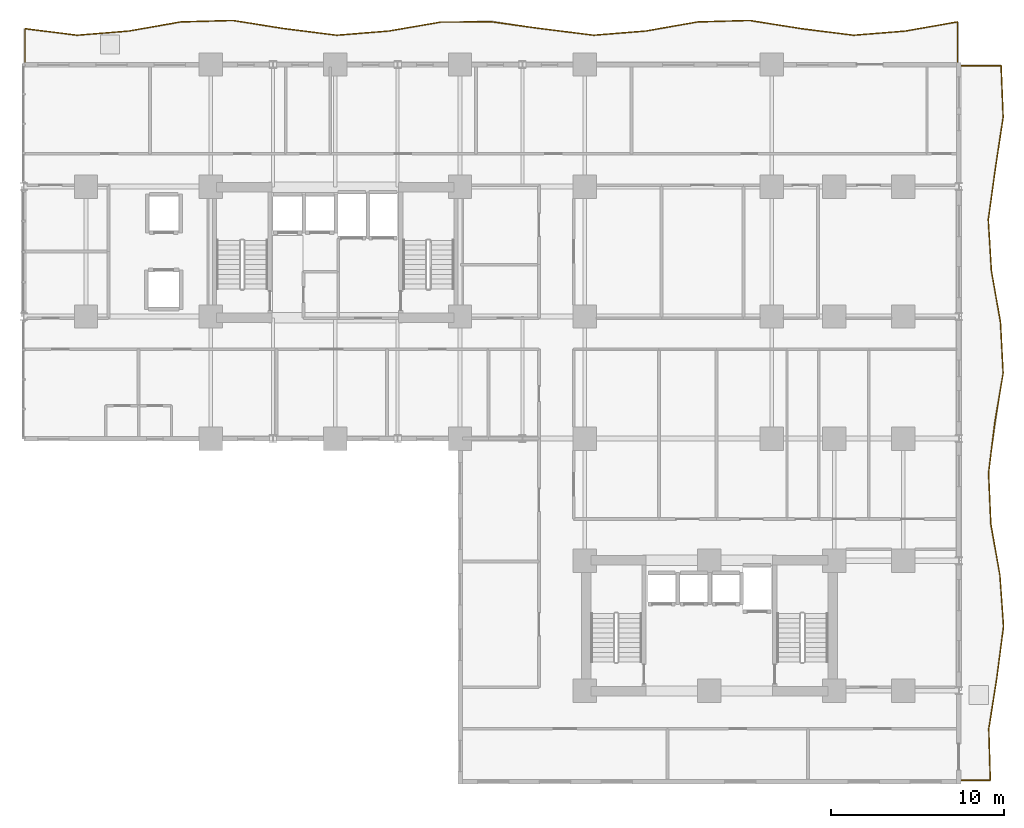
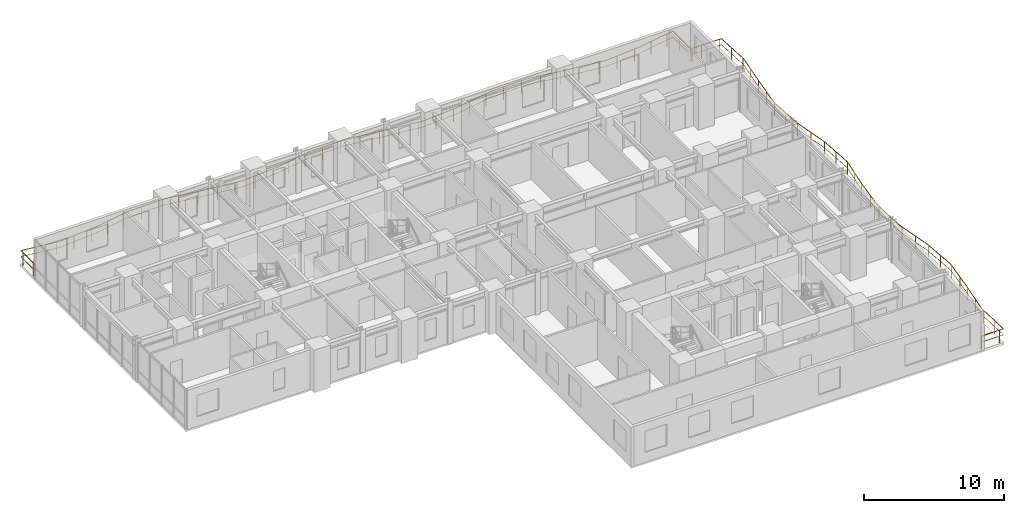
# One storey, part 19 of 19: 2 railings.
"""IFC4 building model written with IfcOpenShell, lengths in metres."""

from ifc_helpers import new_model, si_unit, direction, frame, origin, origin_2d, place, context, subcontext, project, spatial, rectangle, extrude, material, type_object, element, save


model = new_model("IFC4")

# Units and contexts
model_context = context("Model", 3, precision=1e-05, world=origin(), true_north=direction((0.0, 1.0)))
body_context = subcontext(model_context, "Body", "Model", "MODEL_VIEW")
ifc_project = project(units=[si_unit("LENGTHUNIT", "METRE"), si_unit("AREAUNIT", "SQUARE_METRE"), si_unit("VOLUMEUNIT", "CUBIC_METRE"), si_unit("PLANEANGLEUNIT", "RADIAN"), si_unit("MASSUNIT", "GRAM", prefix="KILO")], contexts=[model_context])

# Site, building, storey
site_placement = place(None, origin())
site = spatial("IfcSite", under=ifc_project, at=site_placement, CompositionType="ELEMENT")
building_placement = place(site_placement, origin())
building = spatial("IfcBuilding", under=site, at=building_placement, Name="Kaliganga Portal Commons", CompositionType="ELEMENT")
storey_placement = place(building_placement, frame((0.0, 0.0, 32.699951171875)))
storey = spatial("IfcBuildingStorey", under=building, at=storey_placement, Name="L07", CompositionType="ELEMENT", Elevation=32.699951171875)

# Railings
ifc_material = material(Name="Laminated Safety Glass and Stainless Steel 316", Category="steel")
railing_type = type_object("IfcRailingType", Name="RLG-BAL-1150", PredefinedType="BALUSTRADE", material=ifc_material)
railing_1_placement = place(storey_placement, frame((57.520263671875, 43.205810546875, 0.0)))
element("IfcRailing", 1, at=railing_1_placement, inside=storey, type_object=railing_type, Name="Balcony Guardrail L07 balc_north", PredefinedType="BALUSTRADE", context=body_context, shape_type="SweptSolid", body=[
    extrude(rectangle(XDim=0.048095703125, YDim=0.048095703125, at=origin_2d()), frame((0.0, 0.0, 1.1259765625), z_axis=(-9.9295005e-05, 0.99999999507, 0.0), x_axis=(-0.99999999507, -9.9295005e-05, 0.0)), (0.0, 0.0, 1.0), 2.458740234375),
    extrude(rectangle(XDim=0.028076171875, YDim=0.028076171875, at=origin_2d()), frame((0.0, 0.0, 0.597900390625), z_axis=(-9.9295005e-05, 0.99999999507, 0.0), x_axis=(-0.99999999507, -9.9295005e-05, 0.0)), (0.0, 0.0, 1.0), 2.458740234375),
    extrude(rectangle(XDim=0.048095703125, YDim=0.048095703125, at=origin_2d()), frame((-0.000244140625, 2.458740234375, 1.1259765625), z_axis=(-0.984817426759, -0.173593306182, 0.0), x_axis=(0.173593306182, -0.984817426759, 0.0)), (0.0, 0.0, 1.0), 3.046142578125),
    extrude(rectangle(XDim=0.028076171875, YDim=0.028076171875, at=origin_2d()), frame((-0.000244140625, 2.458740234375, 0.597900390625), z_axis=(-0.984817426759, -0.173593306182, 0.0), x_axis=(0.173593306182, -0.984817426759, 0.0)), (0.0, 0.0, 1.0), 3.046142578125),
    extrude(rectangle(XDim=0.048095703125, YDim=0.048095703125, at=origin_2d()), frame((-3.000244140625, 1.929931640625, 1.1259765625), z_axis=(-0.996744217551, -0.080628560567, 0.0), x_axis=(0.080628560567, -0.996744217551, 0.0)), (0.0, 0.0, 1.0), 3.009765625),
    extrude(rectangle(XDim=0.028076171875, YDim=0.028076171875, at=origin_2d()), frame((-3.000244140625, 1.929931640625, 0.597900390625), z_axis=(-0.996744217551, -0.080628560567, 0.0), x_axis=(0.080628560567, -0.996744217551, 0.0)), (0.0, 0.0, 1.0), 3.009765625),
    extrude(rectangle(XDim=0.048095703125, YDim=0.048095703125, at=origin_2d()), frame((-6.000244140625, 1.687255859375, 1.1259765625), z_axis=(-0.992158168336, 0.124988675503, 0.0), x_axis=(-0.124988675503, -0.992158168336, 0.0)), (0.0, 0.0, 1.0), 3.023681640625),
    extrude(rectangle(XDim=0.028076171875, YDim=0.028076171875, at=origin_2d()), frame((-6.000244140625, 1.687255859375, 0.597900390625), z_axis=(-0.992158168336, 0.124988675503, 0.0), x_axis=(-0.124988675503, -0.992158168336, 0.0)), (0.0, 0.0, 1.0), 3.023681640625),
    extrude(rectangle(XDim=0.048095703125, YDim=0.048095703125, at=origin_2d()), frame((-9.000244140625, 2.065185546875, 1.1259765625), z_axis=(-0.987653892093, 0.156651809545, 0.0), x_axis=(-0.156651809545, -0.987653892093, 0.0)), (0.0, 0.0, 1.0), 3.03759765625),
    extrude(rectangle(XDim=0.028076171875, YDim=0.028076171875, at=origin_2d()), frame((-9.000244140625, 2.065185546875, 0.597900390625), z_axis=(-0.987653892093, 0.156651809545, 0.0), x_axis=(-0.156651809545, -0.987653892093, 0.0)), (0.0, 0.0, 1.0), 3.03759765625),
    extrude(rectangle(XDim=0.048095703125, YDim=0.048095703125, at=origin_2d()), frame((-12.000244140625, 2.541015625, 1.1259765625), z_axis=(-0.999606097148, -0.028065112591, 0.0), x_axis=(0.028065112591, -0.999606097148, 0.0)), (0.0, 0.0, 1.0), 3.001220703125),
    extrude(rectangle(XDim=0.028076171875, YDim=0.028076171875, at=origin_2d()), frame((-12.000244140625, 2.541015625, 0.597900390625), z_axis=(-0.999606097148, -0.028065112591, 0.0), x_axis=(0.028065112591, -0.999606097148, 0.0)), (0.0, 0.0, 1.0), 3.001220703125),
    extrude(rectangle(XDim=0.048095703125, YDim=0.048095703125, at=origin_2d()), frame((-15.000244140625, 2.456787109375, 1.1259765625), z_axis=(-0.984926853339, -0.172971366334, 0.0), x_axis=(0.172971366334, -0.984926853339, 0.0)), (0.0, 0.0, 1.0), 3.0458984375),
    extrude(rectangle(XDim=0.028076171875, YDim=0.028076171875, at=origin_2d()), frame((-15.000244140625, 2.456787109375, 0.597900390625), z_axis=(-0.984926853339, -0.172971366334, 0.0), x_axis=(0.172971366334, -0.984926853339, 0.0)), (0.0, 0.0, 1.0), 3.0458984375),
    extrude(rectangle(XDim=0.048095703125, YDim=0.048095703125, at=origin_2d()), frame((-18.000244140625, 1.929931640625, 1.1259765625), z_axis=(-0.996796163047, -0.079983806703, 0.0), x_axis=(0.079983806703, -0.996796163047, 0.0)), (0.0, 0.0, 1.0), 3.009521484375),
    extrude(rectangle(XDim=0.028076171875, YDim=0.028076171875, at=origin_2d()), frame((-18.000244140625, 1.929931640625, 0.597900390625), z_axis=(-0.996796163047, -0.079983806703, 0.0), x_axis=(0.079983806703, -0.996796163047, 0.0)), (0.0, 0.0, 1.0), 3.009521484375),
    extrude(rectangle(XDim=0.048095703125, YDim=0.048095703125, at=origin_2d()), frame((-21.000244140625, 1.689208984375, 1.1259765625), z_axis=(-0.99236707481, 0.123319052998, 0.0), x_axis=(-0.123319052998, -0.99236707481, 0.0)), (0.0, 0.0, 1.0), 3.023193359375),
    extrude(rectangle(XDim=0.028076171875, YDim=0.028076171875, at=origin_2d()), frame((-21.000244140625, 1.689208984375, 0.597900390625), z_axis=(-0.99236707481, 0.123319052998, 0.0), x_axis=(-0.123319052998, -0.99236707481, 0.0)), (0.0, 0.0, 1.0), 3.023193359375),
    extrude(rectangle(XDim=0.048095703125, YDim=0.048095703125, at=origin_2d()), frame((-24.000244140625, 2.06201171875, 1.1259765625), z_axis=(-0.990639676987, 0.136502858501, 0.0), x_axis=(-0.136502858501, -0.990639676987, 0.0)), (0.0, 0.0, 1.0), 2.947509765625),
    extrude(rectangle(XDim=0.028076171875, YDim=0.028076171875, at=origin_2d()), frame((-24.000244140625, 2.06201171875, 0.597900390625), z_axis=(-0.990639676987, 0.136502858501, 0.0), x_axis=(-0.136502858501, -0.990639676987, 0.0)), (0.0, 0.0, 1.0), 2.947509765625),
    extrude(rectangle(XDim=0.048095703125, YDim=0.048095703125, at=origin_2d()), frame((-26.920166015625, 2.46435546875, 1.1259765625), z_axis=(-0.999980358179, -0.006267635539, 0.0), x_axis=(0.006267635539, -0.999980358179, 0.0)), (0.0, 0.0, 1.0), 2.92138671875),
    extrude(rectangle(XDim=0.028076171875, YDim=0.028076171875, at=origin_2d()), frame((-26.920166015625, 2.46435546875, 0.597900390625), z_axis=(-0.999980358179, -0.006267635539, 0.0), x_axis=(0.006267635539, -0.999980358179, 0.0)), (0.0, 0.0, 1.0), 2.92138671875),
    extrude(rectangle(XDim=0.048095703125, YDim=0.048095703125, at=origin_2d()), frame((-29.841552734375, 2.446044921875, 1.1259765625), z_axis=(-0.985510565724, -0.169614046726, 0.0), x_axis=(0.169614046726, -0.985510565724, 0.0)), (0.0, 0.0, 1.0), 3.04296875),
    extrude(rectangle(XDim=0.028076171875, YDim=0.028076171875, at=origin_2d()), frame((-29.841552734375, 2.446044921875, 0.597900390625), z_axis=(-0.985510565724, -0.169614046726, 0.0), x_axis=(0.169614046726, -0.985510565724, 0.0)), (0.0, 0.0, 1.0), 3.04296875),
    extrude(rectangle(XDim=0.048095703125, YDim=0.048095703125, at=origin_2d()), frame((-32.84033203125, 1.929931640625, 1.1259765625), z_axis=(-0.996770241754, -0.080306196235, 0.0), x_axis=(0.080306196235, -0.996770241754, 0.0)), (0.0, 0.0, 1.0), 3.009765625),
    extrude(rectangle(XDim=0.028076171875, YDim=0.028076171875, at=origin_2d()), frame((-32.84033203125, 1.929931640625, 0.597900390625), z_axis=(-0.996770241754, -0.080306196235, 0.0), x_axis=(0.080306196235, -0.996770241754, 0.0)), (0.0, 0.0, 1.0), 3.009765625),
    extrude(rectangle(XDim=0.048095703125, YDim=0.048095703125, at=origin_2d()), frame((-35.84033203125, 1.688232421875, 1.1259765625), z_axis=(-0.992208154771, 0.124591242091, 0.0), x_axis=(-0.124591242091, -0.992208154771, 0.0)), (0.0, 0.0, 1.0), 3.0234375),
    extrude(rectangle(XDim=0.028076171875, YDim=0.028076171875, at=origin_2d()), frame((-35.84033203125, 1.688232421875, 0.597900390625), z_axis=(-0.992208154771, 0.124591242091, 0.0), x_axis=(-0.124591242091, -0.992208154771, 0.0)), (0.0, 0.0, 1.0), 3.0234375),
    extrude(rectangle(XDim=0.048095703125, YDim=0.048095703125, at=origin_2d()), frame((-38.84033203125, 2.06494140625, 1.1259765625), z_axis=(-0.987641453623, 0.156730211146, 0.0), x_axis=(-0.156730211146, -0.987641453623, 0.0)), (0.0, 0.0, 1.0), 3.03759765625),
    extrude(rectangle(XDim=0.028076171875, YDim=0.028076171875, at=origin_2d()), frame((-38.84033203125, 2.06494140625, 0.597900390625), z_axis=(-0.987641453623, 0.156730211146, 0.0), x_axis=(-0.156730211146, -0.987641453623, 0.0)), (0.0, 0.0, 1.0), 3.03759765625),
    extrude(rectangle(XDim=0.048095703125, YDim=0.048095703125, at=origin_2d()), frame((-41.84033203125, 2.541015625, 1.1259765625), z_axis=(-0.999617425383, -0.027658685273, 0.0), x_axis=(0.027658685273, -0.999617425383, 0.0)), (0.0, 0.0, 1.0), 3.001220703125),
    extrude(rectangle(XDim=0.028076171875, YDim=0.028076171875, at=origin_2d()), frame((-41.84033203125, 2.541015625, 0.597900390625), z_axis=(-0.999617425383, -0.027658685273, 0.0), x_axis=(0.027658685273, -0.999617425383, 0.0)), (0.0, 0.0, 1.0), 3.001220703125),
    extrude(rectangle(XDim=0.048095703125, YDim=0.048095703125, at=origin_2d()), frame((-44.84033203125, 2.4580078125, 1.1259765625), z_axis=(-0.984858504901, -0.173360103036, 0.0), x_axis=(0.173360103036, -0.984858504901, 0.0)), (0.0, 0.0, 1.0), 3.046142578125),
    extrude(rectangle(XDim=0.028076171875, YDim=0.028076171875, at=origin_2d()), frame((-44.84033203125, 2.4580078125, 0.597900390625), z_axis=(-0.984858504901, -0.173360103036, 0.0), x_axis=(0.173360103036, -0.984858504901, 0.0)), (0.0, 0.0, 1.0), 3.046142578125),
    extrude(rectangle(XDim=0.048095703125, YDim=0.048095703125, at=origin_2d()), frame((-47.84033203125, 1.929931640625, 1.1259765625), z_axis=(-0.996737695423, -0.080709147701, 0.0), x_axis=(0.080709147701, -0.996737695423, 0.0)), (0.0, 0.0, 1.0), 3.009765625),
    extrude(rectangle(XDim=0.028076171875, YDim=0.028076171875, at=origin_2d()), frame((-47.84033203125, 1.929931640625, 0.597900390625), z_axis=(-0.996737695423, -0.080709147701, 0.0), x_axis=(0.080709147701, -0.996737695423, 0.0)), (0.0, 0.0, 1.0), 3.009765625),
    extrude(rectangle(XDim=0.048095703125, YDim=0.048095703125, at=origin_2d()), frame((-50.84033203125, 1.68701171875, 1.1259765625), z_axis=(-0.992138130603, 0.125147632034, 0.0), x_axis=(-0.125147632034, -0.992138130603, 0.0)), (0.0, 0.0, 1.0), 3.023681640625),
    extrude(rectangle(XDim=0.028076171875, YDim=0.028076171875, at=origin_2d()), frame((-50.84033203125, 1.68701171875, 0.597900390625), z_axis=(-0.992138130603, 0.125147632034, 0.0), x_axis=(-0.125147632034, -0.992138130603, 0.0)), (0.0, 0.0, 1.0), 3.023681640625),
    extrude(rectangle(XDim=0.048095703125, YDim=0.048095703125, at=origin_2d()), frame((-53.84033203125, 2.0654296875, 1.1259765625), z_axis=(-0.000118203309, -0.999999993014, 0.0), x_axis=(0.999999993014, -0.000118203309, 0.0)), (0.0, 0.0, 1.0), 2.0654296875),
    extrude(rectangle(XDim=0.028076171875, YDim=0.028076171875, at=origin_2d()), frame((-53.84033203125, 2.0654296875, 0.597900390625), z_axis=(-0.000118203309, -0.999999993014, 0.0), x_axis=(0.999999993014, -0.000118203309, 0.0)), (0.0, 0.0, 1.0), 2.0654296875),
    extrude(rectangle(XDim=0.0419921875, YDim=0.0419921875, at=origin_2d()), origin(), (0.0, 0.0, 1.0), 1.101806640625),
    extrude(rectangle(XDim=0.0419921875, YDim=0.0419921875, at=origin_2d()), frame((-0.000244140625, 1.5, 0.0)), (0.0, 0.0, 1.0), 1.101806640625),
    extrude(rectangle(XDim=0.0419921875, YDim=0.0419921875, at=origin_2d()), frame((-0.533203125, 2.36474609375, 0.0)), (0.0, 0.0, 1.0), 1.101806640625),
    extrude(rectangle(XDim=0.0419921875, YDim=0.0419921875, at=origin_2d()), frame((-2.010498046875, 2.1044921875, 0.0)), (0.0, 0.0, 1.0), 1.101806640625),
    extrude(rectangle(XDim=0.0419921875, YDim=0.0419921875, at=origin_2d()), frame((-3.49365234375, 1.89013671875, 0.0)), (0.0, 0.0, 1.0), 1.101806640625),
    extrude(rectangle(XDim=0.0419921875, YDim=0.0419921875, at=origin_2d()), frame((-4.98876953125, 1.76904296875, 0.0)), (0.0, 0.0, 1.0), 1.101806640625),
    extrude(rectangle(XDim=0.0419921875, YDim=0.0419921875, at=origin_2d()), frame((-6.481689453125, 1.747802734375, 0.0)), (0.0, 0.0, 1.0), 1.101806640625),
    extrude(rectangle(XDim=0.0419921875, YDim=0.0419921875, at=origin_2d()), frame((-7.969970703125, 1.935302734375, 0.0)), (0.0, 0.0, 1.0), 1.101806640625),
    extrude(rectangle(XDim=0.0419921875, YDim=0.0419921875, at=origin_2d()), frame((-9.4560546875, 2.137451171875, 0.0)), (0.0, 0.0, 1.0), 1.101806640625),
    extrude(rectangle(XDim=0.0419921875, YDim=0.0419921875, at=origin_2d()), frame((-10.9375, 2.37255859375, 0.0)), (0.0, 0.0, 1.0), 1.101806640625),
    extrude(rectangle(XDim=0.0419921875, YDim=0.0419921875, at=origin_2d()), frame((-12.424072265625, 2.529052734375, 0.0)), (0.0, 0.0, 1.0), 1.101806640625),
    extrude(rectangle(XDim=0.0419921875, YDim=0.0419921875, at=origin_2d()), frame((-13.923583984375, 2.487060546875, 0.0)), (0.0, 0.0, 1.0), 1.101806640625),
    extrude(rectangle(XDim=0.0419921875, YDim=0.0419921875, at=origin_2d()), frame((-15.416748046875, 2.383544921875, 0.0)), (0.0, 0.0, 1.0), 1.101806640625),
    extrude(rectangle(XDim=0.0419921875, YDim=0.0419921875, at=origin_2d()), frame((-16.89404296875, 2.124267578125, 0.0)), (0.0, 0.0, 1.0), 1.101806640625),
    extrude(rectangle(XDim=0.0419921875, YDim=0.0419921875, at=origin_2d()), frame((-18.3759765625, 1.89990234375, 0.0)), (0.0, 0.0, 1.0), 1.101806640625),
    extrude(rectangle(XDim=0.0419921875, YDim=0.0419921875, at=origin_2d()), frame((-19.87109375, 1.77978515625, 0.0)), (0.0, 0.0, 1.0), 1.101806640625),
    extrude(rectangle(XDim=0.0419921875, YDim=0.0419921875, at=origin_2d()), frame((-21.36474609375, 1.734619140625, 0.0)), (0.0, 0.0, 1.0), 1.101806640625),
    extrude(rectangle(XDim=0.0419921875, YDim=0.0419921875, at=origin_2d()), frame((-22.853271484375, 1.91943359375, 0.0)), (0.0, 0.0, 1.0), 1.101806640625),
    extrude(rectangle(XDim=0.0419921875, YDim=0.0419921875, at=origin_2d()), frame((-24.34130859375, 2.10888671875, 0.0)), (0.0, 0.0, 1.0), 1.101806640625),
    extrude(rectangle(XDim=0.0419921875, YDim=0.0419921875, at=origin_2d()), frame((-25.8271484375, 2.313720703125, 0.0)), (0.0, 0.0, 1.0), 1.101806640625),
    extrude(rectangle(XDim=0.0419921875, YDim=0.0419921875, at=origin_2d()), frame((-27.31689453125, 2.4619140625, 0.0)), (0.0, 0.0, 1.0), 1.101806640625),
    extrude(rectangle(XDim=0.0419921875, YDim=0.0419921875, at=origin_2d()), frame((-28.81689453125, 2.452392578125, 0.0)), (0.0, 0.0, 1.0), 1.101806640625),
    extrude(rectangle(XDim=0.0419921875, YDim=0.0419921875, at=origin_2d()), frame((-30.309814453125, 2.365478515625, 0.0)), (0.0, 0.0, 1.0), 1.101806640625),
    extrude(rectangle(XDim=0.0419921875, YDim=0.0419921875, at=origin_2d()), frame((-31.7880859375, 2.111083984375, 0.0)), (0.0, 0.0, 1.0), 1.101806640625),
    extrude(rectangle(XDim=0.0419921875, YDim=0.0419921875, at=origin_2d()), frame((-33.271240234375, 1.895263671875, 0.0)), (0.0, 0.0, 1.0), 1.101806640625),
    extrude(rectangle(XDim=0.0419921875, YDim=0.0419921875, at=origin_2d()), frame((-34.766357421875, 1.774658203125, 0.0)), (0.0, 0.0, 1.0), 1.101806640625),
    extrude(rectangle(XDim=0.0419921875, YDim=0.0419921875, at=origin_2d()), frame((-36.259765625, 1.740966796875, 0.0)), (0.0, 0.0, 1.0), 1.101806640625),
    extrude(rectangle(XDim=0.0419921875, YDim=0.0419921875, at=origin_2d()), frame((-37.748046875, 1.927734375, 0.0)), (0.0, 0.0, 1.0), 1.101806640625),
    extrude(rectangle(XDim=0.0419921875, YDim=0.0419921875, at=origin_2d()), frame((-39.234375, 2.12744140625, 0.0)), (0.0, 0.0, 1.0), 1.101806640625),
    extrude(rectangle(XDim=0.0419921875, YDim=0.0419921875, at=origin_2d()), frame((-40.716064453125, 2.362548828125, 0.0)), (0.0, 0.0, 1.0), 1.101806640625),
    extrude(rectangle(XDim=0.0419921875, YDim=0.0419921875, at=origin_2d()), frame((-42.20166015625, 2.531005859375, 0.0)), (0.0, 0.0, 1.0), 1.101806640625),
    extrude(rectangle(XDim=0.0419921875, YDim=0.0419921875, at=origin_2d()), frame((-43.701171875, 2.489501953125, 0.0)), (0.0, 0.0, 1.0), 1.101806640625),
    extrude(rectangle(XDim=0.0419921875, YDim=0.0419921875, at=origin_2d()), frame((-45.1953125, 2.3955078125, 0.0)), (0.0, 0.0, 1.0), 1.101806640625),
    extrude(rectangle(XDim=0.0419921875, YDim=0.0419921875, at=origin_2d()), frame((-46.672607421875, 2.135498046875, 0.0)), (0.0, 0.0, 1.0), 1.101806640625),
    extrude(rectangle(XDim=0.0419921875, YDim=0.0419921875, at=origin_2d()), frame((-48.153564453125, 1.904541015625, 0.0)), (0.0, 0.0, 1.0), 1.101806640625),
    extrude(rectangle(XDim=0.0419921875, YDim=0.0419921875, at=origin_2d()), frame((-49.648681640625, 1.783447265625, 0.0)), (0.0, 0.0, 1.0), 1.101806640625),
    extrude(rectangle(XDim=0.0419921875, YDim=0.0419921875, at=origin_2d()), frame((-51.142333984375, 1.72509765625, 0.0)), (0.0, 0.0, 1.0), 1.101806640625),
    extrude(rectangle(XDim=0.0419921875, YDim=0.0419921875, at=origin_2d()), frame((-52.630615234375, 1.912841796875, 0.0)), (0.0, 0.0, 1.0), 1.101806640625),
    extrude(rectangle(XDim=0.0419921875, YDim=0.0419921875, at=origin_2d()), frame((-53.84033203125, 1.78466796875, 0.0)), (0.0, 0.0, 1.0), 1.101806640625),
    extrude(rectangle(XDim=0.0419921875, YDim=0.0419921875, at=origin_2d()), frame((-53.840576171875, 0.28466796875, 0.0)), (0.0, 0.0, 1.0), 1.101806640625),
    extrude(rectangle(XDim=0.0419921875, YDim=0.0419921875, at=origin_2d()), frame((-53.840576171875, 0.0, 0.0)), (0.0, 0.0, 1.0), 1.101806640625),
])
railing_2_placement = place(storey_placement, frame((57.607421875, 1.879638671875, 0.0)))
element("IfcRailing", 2, at=railing_2_placement, inside=storey, type_object=railing_type, Name="Balcony Guardrail L07 balc_east", PredefinedType="BALUSTRADE", context=body_context, shape_type="SweptSolid", body=[
    extrude(rectangle(XDim=0.048095703125, YDim=0.048095703125, at=origin_2d()), frame((0.0, 0.0, 1.1259765625), z_axis=(0.999999990936, 0.000134643866, 0.0), x_axis=(-0.000134643866, 0.999999990936, 0.0)), (0.0, 0.0, 1.0), 1.813232421875),
    extrude(rectangle(XDim=0.028076171875, YDim=0.028076171875, at=origin_2d()), frame((0.0, 0.0, 0.597900390625), z_axis=(0.999999990936, 0.000134643866, 0.0), x_axis=(-0.000134643866, 0.999999990936, 0.0)), (0.0, 0.0, 1.0), 1.813232421875),
    extrude(rectangle(XDim=0.048095703125, YDim=0.048095703125, at=origin_2d()), frame((1.813232421875, 0.000244140625, 1.1259765625), z_axis=(-0.029542123831, 0.999563536209, 0.0), x_axis=(-0.999563536209, -0.029542123831, 0.0)), (0.0, 0.0, 1.0), 2.95849609375),
    extrude(rectangle(XDim=0.028076171875, YDim=0.028076171875, at=origin_2d()), frame((1.813232421875, 0.000244140625, 0.597900390625), z_axis=(-0.029542123831, 0.999563536209, 0.0), x_axis=(-0.999563536209, -0.029542123831, 0.0)), (0.0, 0.0, 1.0), 2.95849609375),
    extrude(rectangle(XDim=0.048095703125, YDim=0.048095703125, at=origin_2d()), frame((1.725830078125, 2.95751953125, 1.1259765625), z_axis=(0.154894404657, 0.987931031705, 0.0), x_axis=(-0.987931031705, 0.154894404657, 0.0)), (0.0, 0.0, 1.0), 2.9931640625),
    extrude(rectangle(XDim=0.028076171875, YDim=0.028076171875, at=origin_2d()), frame((1.725830078125, 2.95751953125, 0.597900390625), z_axis=(0.154894404657, 0.987931031705, 0.0), x_axis=(-0.987931031705, 0.154894404657, 0.0)), (0.0, 0.0, 1.0), 2.9931640625),
    extrude(rectangle(XDim=0.048095703125, YDim=0.048095703125, at=origin_2d()), frame((2.189453125, 5.91455078125, 1.1259765625), z_axis=(0.130238520668, 0.991482691596, 0.0), x_axis=(-0.991482691596, 0.130238520668, 0.0)), (0.0, 0.0, 1.0), 2.982421875),
    extrude(rectangle(XDim=0.028076171875, YDim=0.028076171875, at=origin_2d()), frame((2.189453125, 5.91455078125, 0.597900390625), z_axis=(0.130238520668, 0.991482691596, 0.0), x_axis=(-0.991482691596, 0.130238520668, 0.0)), (0.0, 0.0, 1.0), 2.982421875),
    extrude(rectangle(XDim=0.048095703125, YDim=0.048095703125, at=origin_2d()), frame((2.577880859375, 8.87158203125, 1.1259765625), z_axis=(-0.070983702125, 0.997477475451, 0.0), x_axis=(-0.997477475451, -0.070983702125, 0.0)), (0.0, 0.0, 1.0), 2.96484375),
    extrude(rectangle(XDim=0.028076171875, YDim=0.028076171875, at=origin_2d()), frame((2.577880859375, 8.87158203125, 0.597900390625), z_axis=(-0.070983702125, 0.997477475451, 0.0), x_axis=(-0.997477475451, -0.070983702125, 0.0)), (0.0, 0.0, 1.0), 2.96484375),
    extrude(rectangle(XDim=0.048095703125, YDim=0.048095703125, at=origin_2d()), frame((2.367431640625, 11.828857421875, 1.1259765625), z_axis=(-0.174369617896, 0.984680271131, 0.0), x_axis=(-0.984680271131, -0.174369617896, 0.0)), (0.0, 0.0, 1.0), 3.003173828125),
    extrude(rectangle(XDim=0.028076171875, YDim=0.028076171875, at=origin_2d()), frame((2.367431640625, 11.828857421875, 0.597900390625), z_axis=(-0.174369617896, 0.984680271131, 0.0), x_axis=(-0.984680271131, -0.174369617896, 0.0)), (0.0, 0.0, 1.0), 3.003173828125),
    extrude(rectangle(XDim=0.048095703125, YDim=0.048095703125, at=origin_2d()), frame((1.84375, 14.7861328125, 1.1259765625), z_axis=(-0.043963397038, 0.999033142454, 0.0), x_axis=(-0.999033142454, -0.043963397038, 0.0)), (0.0, 0.0, 1.0), 2.9599609375),
    extrude(rectangle(XDim=0.028076171875, YDim=0.028076171875, at=origin_2d()), frame((1.84375, 14.7861328125, 0.597900390625), z_axis=(-0.043963397038, 0.999033142454, 0.0), x_axis=(-0.999033142454, -0.043963397038, 0.0)), (0.0, 0.0, 1.0), 2.9599609375),
    extrude(rectangle(XDim=0.048095703125, YDim=0.048095703125, at=origin_2d()), frame((1.713623046875, 17.7431640625, 1.1259765625), z_axis=(0.122946409375, 0.992413311288, 0.0), x_axis=(-0.992413311288, 0.122946409375, 0.0)), (0.0, 0.0, 1.0), 2.899169921875),
    extrude(rectangle(XDim=0.028076171875, YDim=0.028076171875, at=origin_2d()), frame((1.713623046875, 17.7431640625, 0.597900390625), z_axis=(0.122946409375, 0.992413311288, 0.0), x_axis=(-0.992413311288, 0.122946409375, 0.0)), (0.0, 0.0, 1.0), 2.899169921875),
    extrude(rectangle(XDim=0.048095703125, YDim=0.048095703125, at=origin_2d()), frame((2.070068359375, 20.620361328125, 1.1259765625), z_axis=(0.165741327592, 0.9861692615, 0.0), x_axis=(-0.9861692615, 0.165741327592, 0.0)), (0.0, 0.0, 1.0), 2.91943359375),
    extrude(rectangle(XDim=0.028076171875, YDim=0.028076171875, at=origin_2d()), frame((2.070068359375, 20.620361328125, 0.597900390625), z_axis=(0.165741327592, 0.9861692615, 0.0), x_axis=(-0.9861692615, 0.165741327592, 0.0)), (0.0, 0.0, 1.0), 2.91943359375),
    extrude(rectangle(XDim=0.048095703125, YDim=0.048095703125, at=origin_2d()), frame((2.553955078125, 23.49951171875, 1.1259765625), z_axis=(-0.05238131871, 0.998627156375, 0.0), x_axis=(-0.998627156375, -0.05238131871, 0.0)), (0.0, 0.0, 1.0), 2.959716796875),
    extrude(rectangle(XDim=0.028076171875, YDim=0.028076171875, at=origin_2d()), frame((2.553955078125, 23.49951171875, 0.597900390625), z_axis=(-0.05238131871, 0.998627156375, 0.0), x_axis=(-0.998627156375, -0.05238131871, 0.0)), (0.0, 0.0, 1.0), 2.959716796875),
    extrude(rectangle(XDim=0.048095703125, YDim=0.048095703125, at=origin_2d()), frame((2.39892578125, 26.455078125, 1.1259765625), z_axis=(-0.174239867943, 0.984703238757, 0.0), x_axis=(-0.984703238757, -0.174239867943, 0.0)), (0.0, 0.0, 1.0), 3.002685546875),
    extrude(rectangle(XDim=0.028076171875, YDim=0.028076171875, at=origin_2d()), frame((2.39892578125, 26.455078125, 0.597900390625), z_axis=(-0.174239867943, 0.984703238757, 0.0), x_axis=(-0.984703238757, -0.174239867943, 0.0)), (0.0, 0.0, 1.0), 3.002685546875),
    extrude(rectangle(XDim=0.048095703125, YDim=0.048095703125, at=origin_2d()), frame((1.875732421875, 29.411865234375, 1.1259765625), z_axis=(-0.06024374849, 0.998183695904, 0.0), x_axis=(-0.998183695904, -0.06024374849, 0.0)), (0.0, 0.0, 1.0), 2.96240234375),
    extrude(rectangle(XDim=0.028076171875, YDim=0.028076171875, at=origin_2d()), frame((1.875732421875, 29.411865234375, 0.597900390625), z_axis=(-0.06024374849, 0.998183695904, 0.0), x_axis=(-0.998183695904, -0.06024374849, 0.0)), (0.0, 0.0, 1.0), 2.96240234375),
    extrude(rectangle(XDim=0.048095703125, YDim=0.048095703125, at=origin_2d()), frame((1.697265625, 32.368896484375, 1.1259765625), z_axis=(0.137539401504, 0.990496296325, 0.0), x_axis=(-0.990496296325, 0.137539401504, 0.0)), (0.0, 0.0, 1.0), 2.985595703125),
    extrude(rectangle(XDim=0.028076171875, YDim=0.028076171875, at=origin_2d()), frame((1.697265625, 32.368896484375, 0.597900390625), z_axis=(0.137539401504, 0.990496296325, 0.0), x_axis=(-0.990496296325, 0.137539401504, 0.0)), (0.0, 0.0, 1.0), 2.985595703125),
    extrude(rectangle(XDim=0.048095703125, YDim=0.048095703125, at=origin_2d()), frame((2.10791015625, 35.326171875, 1.1259765625), z_axis=(0.149541806276, 0.988755403614, 0.0), x_axis=(-0.988755403614, 0.149541806276, 0.0)), (0.0, 0.0, 1.0), 2.990966796875),
    extrude(rectangle(XDim=0.028076171875, YDim=0.028076171875, at=origin_2d()), frame((2.10791015625, 35.326171875, 0.597900390625), z_axis=(0.149541806276, 0.988755403614, 0.0), x_axis=(-0.988755403614, 0.149541806276, 0.0)), (0.0, 0.0, 1.0), 2.990966796875),
    extrude(rectangle(XDim=0.048095703125, YDim=0.048095703125, at=origin_2d()), frame((2.55517578125, 38.283447265625, 1.1259765625), z_axis=(-0.040340319767, 0.999185998001, 0.0), x_axis=(-0.999185998001, -0.040340319767, 0.0)), (0.0, 0.0, 1.0), 2.95947265625),
    extrude(rectangle(XDim=0.028076171875, YDim=0.028076171875, at=origin_2d()), frame((2.55517578125, 38.283447265625, 0.597900390625), z_axis=(-0.040340319767, 0.999185998001, 0.0), x_axis=(-0.999185998001, -0.040340319767, 0.0)), (0.0, 0.0, 1.0), 2.95947265625),
    extrude(rectangle(XDim=0.048095703125, YDim=0.048095703125, at=origin_2d()), frame((2.435791015625, 41.240478515625, 1.1259765625), z_axis=(-0.999999994977, 0.00010023053, 0.0), x_axis=(-0.00010023053, -0.999999994977, 0.0)), (0.0, 0.0, 1.0), 2.435791015625),
    extrude(rectangle(XDim=0.028076171875, YDim=0.028076171875, at=origin_2d()), frame((2.435791015625, 41.240478515625, 0.597900390625), z_axis=(-0.999999994977, 0.00010023053, 0.0), x_axis=(-0.00010023053, -0.999999994977, 0.0)), (0.0, 0.0, 1.0), 2.435791015625),
    extrude(rectangle(XDim=0.0419921875, YDim=0.0419921875, at=origin_2d()), origin(), (0.0, 0.0, 1.0), 1.101806640625),
    extrude(rectangle(XDim=0.0419921875, YDim=0.0419921875, at=origin_2d()), frame((1.5, 0.000244140625, 0.0)), (0.0, 0.0, 1.0), 1.101806640625),
    extrude(rectangle(XDim=0.0419921875, YDim=0.0419921875, at=origin_2d()), frame((1.778076171875, 1.1865234375, 0.0)), (0.0, 0.0, 1.0), 1.101806640625),
    extrude(rectangle(XDim=0.0419921875, YDim=0.0419921875, at=origin_2d()), frame((1.73388671875, 2.685791015625, 0.0)), (0.0, 0.0, 1.0), 1.101806640625),
    extrude(rectangle(XDim=0.0419921875, YDim=0.0419921875, at=origin_2d()), frame((1.916015625, 4.1708984375, 0.0)), (0.0, 0.0, 1.0), 1.101806640625),
    extrude(rectangle(XDim=0.0419921875, YDim=0.0419921875, at=origin_2d()), frame((2.1484375, 5.65283203125, 0.0)), (0.0, 0.0, 1.0), 1.101806640625),
    extrude(rectangle(XDim=0.0419921875, YDim=0.0419921875, at=origin_2d()), frame((2.350341796875, 7.13916015625, 0.0)), (0.0, 0.0, 1.0), 1.101806640625),
    extrude(rectangle(XDim=0.0419921875, YDim=0.0419921875, at=origin_2d()), frame((2.545654296875, 8.626220703125, 0.0)), (0.0, 0.0, 1.0), 1.101806640625),
    extrude(rectangle(XDim=0.0419921875, YDim=0.0419921875, at=origin_2d()), frame((2.489013671875, 10.12109375, 0.0)), (0.0, 0.0, 1.0), 1.101806640625),
    extrude(rectangle(XDim=0.0419921875, YDim=0.0419921875, at=origin_2d()), frame((2.382568359375, 11.6171875, 0.0)), (0.0, 0.0, 1.0), 1.101806640625),
    extrude(rectangle(XDim=0.0419921875, YDim=0.0419921875, at=origin_2d()), frame((2.142822265625, 13.096923828125, 0.0)), (0.0, 0.0, 1.0), 1.101806640625),
    extrude(rectangle(XDim=0.0419921875, YDim=0.0419921875, at=origin_2d()), frame((1.88134765625, 14.573974609375, 0.0)), (0.0, 0.0, 1.0), 1.101806640625),
    extrude(rectangle(XDim=0.0419921875, YDim=0.0419921875, at=origin_2d()), frame((1.787353515625, 16.069580078125, 0.0)), (0.0, 0.0, 1.0), 1.101806640625),
    extrude(rectangle(XDim=0.0419921875, YDim=0.0419921875, at=origin_2d()), frame((1.721435546875, 17.568115234375, 0.0)), (0.0, 0.0, 1.0), 1.101806640625),
    extrude(rectangle(XDim=0.0419921875, YDim=0.0419921875, at=origin_2d()), frame((1.87646484375, 19.057861328125, 0.0)), (0.0, 0.0, 1.0), 1.101806640625),
    extrude(rectangle(XDim=0.0419921875, YDim=0.0419921875, at=origin_2d()), frame((2.070068359375, 20.620361328125, 0.0)), (0.0, 0.0, 1.0), 1.101806640625),
    extrude(rectangle(XDim=0.0419921875, YDim=0.0419921875, at=origin_2d()), frame((2.306396484375, 22.026123046875, 0.0)), (0.0, 0.0, 1.0), 1.101806640625),
    extrude(rectangle(XDim=0.0419921875, YDim=0.0419921875, at=origin_2d()), frame((2.5537109375, 23.50537109375, 0.0)), (0.0, 0.0, 1.0), 1.101806640625),
    extrude(rectangle(XDim=0.0419921875, YDim=0.0419921875, at=origin_2d()), frame((2.47509765625, 25.00341796875, 0.0)), (0.0, 0.0, 1.0), 1.101806640625),
    extrude(rectangle(XDim=0.0419921875, YDim=0.0419921875, at=origin_2d()), frame((2.390869140625, 26.500732421875, 0.0)), (0.0, 0.0, 1.0), 1.101806640625),
    extrude(rectangle(XDim=0.0419921875, YDim=0.0419921875, at=origin_2d()), frame((2.12939453125, 27.977783203125, 0.0)), (0.0, 0.0, 1.0), 1.101806640625),
    extrude(rectangle(XDim=0.0419921875, YDim=0.0419921875, at=origin_2d()), frame((1.873046875, 29.455322265625, 0.0)), (0.0, 0.0, 1.0), 1.101806640625),
    extrude(rectangle(XDim=0.0419921875, YDim=0.0419921875, at=origin_2d()), frame((1.78271484375, 30.95263671875, 0.0)), (0.0, 0.0, 1.0), 1.101806640625),
    extrude(rectangle(XDim=0.0419921875, YDim=0.0419921875, at=origin_2d()), frame((1.70849609375, 32.44921875, 0.0)), (0.0, 0.0, 1.0), 1.101806640625),
    extrude(rectangle(XDim=0.0419921875, YDim=0.0419921875, at=origin_2d()), frame((1.914794921875, 33.93505859375, 0.0)), (0.0, 0.0, 1.0), 1.101806640625),
    extrude(rectangle(XDim=0.0419921875, YDim=0.0419921875, at=origin_2d()), frame((2.122314453125, 35.420654296875, 0.0)), (0.0, 0.0, 1.0), 1.101806640625),
    extrude(rectangle(XDim=0.0419921875, YDim=0.0419921875, at=origin_2d()), frame((2.346435546875, 36.90380859375, 0.0)), (0.0, 0.0, 1.0), 1.101806640625),
    extrude(rectangle(XDim=0.0419921875, YDim=0.0419921875, at=origin_2d()), frame((2.551025390625, 38.387939453125, 0.0)), (0.0, 0.0, 1.0), 1.101806640625),
    extrude(rectangle(XDim=0.0419921875, YDim=0.0419921875, at=origin_2d()), frame((2.490478515625, 39.88671875, 0.0)), (0.0, 0.0, 1.0), 1.101806640625),
    extrude(rectangle(XDim=0.0419921875, YDim=0.0419921875, at=origin_2d()), frame((2.29052734375, 41.240478515625, 0.0)), (0.0, 0.0, 1.0), 1.101806640625),
    extrude(rectangle(XDim=0.0419921875, YDim=0.0419921875, at=origin_2d()), frame((0.79052734375, 41.24072265625, 0.0)), (0.0, 0.0, 1.0), 1.101806640625),
    extrude(rectangle(XDim=0.0419921875, YDim=0.0419921875, at=origin_2d()), frame((0.0, 41.24072265625, 0.0)), (0.0, 0.0, 1.0), 1.101806640625),
])

save(model, "model.ifc")
